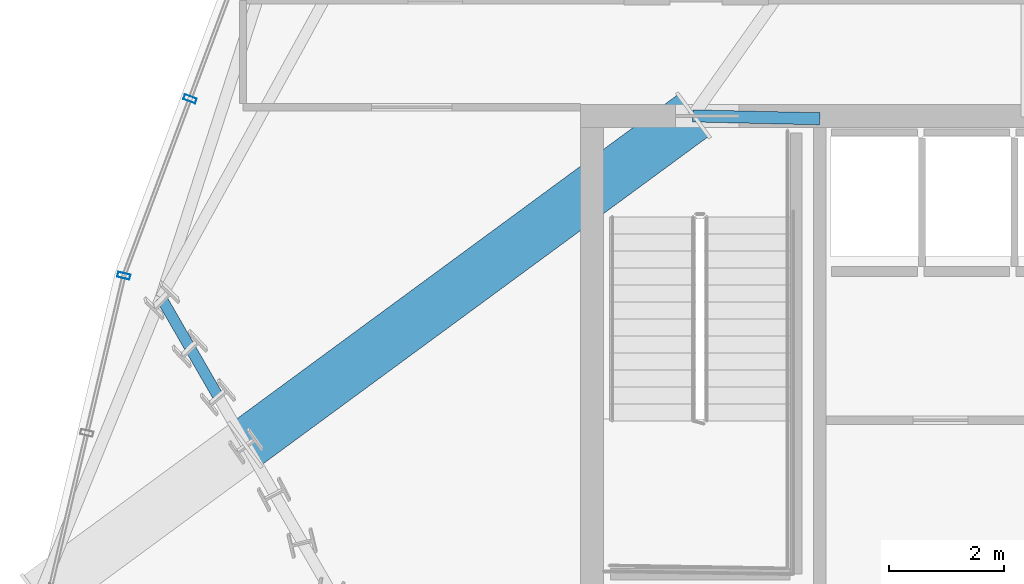
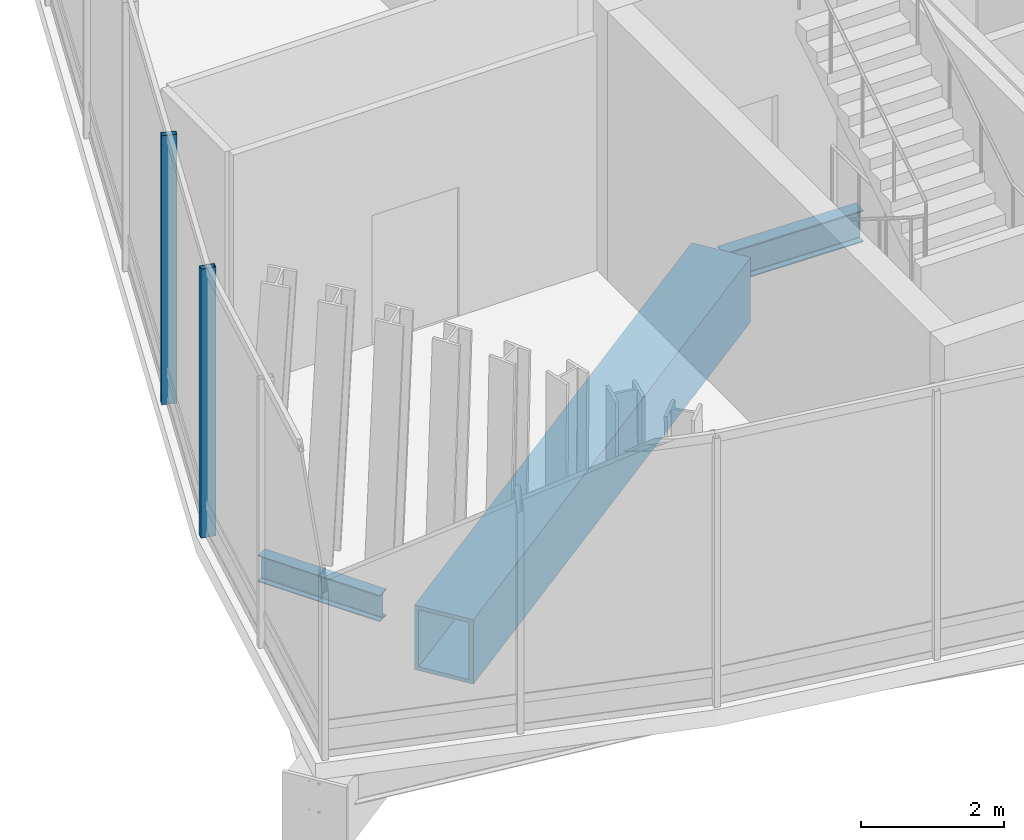
# One storey, part 4 of 28: 4 beams, 2 members, 2 elements without a shape of their own.
"""IFC4 building model written with IfcOpenShell, lengths in metres."""

from ifc_helpers import new_model, si_unit, direction, frame, origin, origin_2d, place, context, subcontext, project, spatial, hollow_rectangle, i_section, extrude, material, layer, layer_set, material_profile, profile_set, type_object, element, aggregate, save


model = new_model("IFC4")

# Units and contexts
model_context = context("Model", 3, precision=1e-05, world=origin(), true_north=direction((0.0, 1.0)))
body_context = subcontext(model_context, "Body", "Model", "MODEL_VIEW")
ifc_project = project(units=[si_unit("LENGTHUNIT", "METRE"), si_unit("AREAUNIT", "SQUARE_METRE"), si_unit("VOLUMEUNIT", "CUBIC_METRE"), si_unit("PLANEANGLEUNIT", "RADIAN"), si_unit("MASSUNIT", "GRAM", prefix="KILO")], contexts=[model_context])

# Site, building, storey
site_placement = place(None, origin())
site = spatial("IfcSite", under=ifc_project, at=site_placement, CompositionType="ELEMENT")
building_placement = place(site_placement, origin())
building = spatial("IfcBuilding", under=site, at=building_placement, Name="Ndaravel Arena Tower", CompositionType="ELEMENT")
storey_placement = place(building_placement, frame((0.0, 0.0, 213.199951171875)))
storey = spatial("IfcBuildingStorey", under=building, at=storey_placement, Name="L51", CompositionType="ELEMENT", Elevation=213.199951171875)

# Beams
ifc_material_1 = material(Name="Steel S355", Category="steel")
ifc_material_profile_1 = material_profile(ifc_material_1, i_section(OverallWidth=0.210693359375, OverallDepth=0.53955078125, WebThickness=0.01171875, FlangeThickness=0.018798828125, FilletRadius=0.0126953125, at=origin_2d()), Name="UB 533x210x109")
ifc_profile_set_1 = profile_set([ifc_material_profile_1], Name="Steel S355")
beam_type_1 = type_object("IfcBeamType", Name="BM-GIRD-UB533", PredefinedType="BEAM", material=ifc_profile_set_1)
beam_1_placement = place(storey_placement, frame((30.60009765625, 14.949951171875, -0.5498046875), z_axis=(-0.999742178526, 0.022706309173, 0.0), x_axis=(-0.022706309173, -0.999742178526, 0.0)))
element("IfcBeam", 1, at=beam_1_placement, inside=storey, type_object=beam_type_1, Name="L51 Star Backspan Anchor Tie SAT1-1", PredefinedType="BEAM", context=body_context, shape_type="SweptSolid", body=[
    extrude(i_section(OverallWidth=0.210693359375, OverallDepth=0.53955078125, WebThickness=0.01171875, FlangeThickness=0.018798828125, FilletRadius=0.0126953125, at=origin_2d()), origin(), (0.0, 0.0, 1.0), 2.2041015625),
])
ifc_material_2 = material(Name="Steel S355", Category="steel")
ifc_material_profile_2 = material_profile(ifc_material_2, i_section(OverallWidth=0.18994140625, OverallDepth=0.449951171875, WebThickness=0.009521484375, FlangeThickness=0.0146484375, FilletRadius=0.02099609375, at=origin_2d()), Name="IPE 450")
ifc_profile_set_2 = profile_set([ifc_material_profile_2], Name="Steel S355")
beam_type_2 = type_object("IfcBeamType", Name="BM-SPAN-IPE450", PredefinedType="SPANDREL", material=ifc_profile_set_2)
for number, where, z_axis, x_axis, name in (
    (2, (19.17138671875, 11.84814453125, -0.5048828125), (0.499995473844, -0.866028016946, 0.0), (0.866028016946, 0.499995473844, 0.0), "L51 Perimeter Spandrel Beam SP-20"),
    (3, (19.66162109375, 10.9990234375, -0.5048828125), (0.499995473844, -0.866028016946, 0.0), (0.866028016946, 0.499995473844, 0.0), "L51 Perimeter Spandrel Beam SP-21"),
):
    element("IfcBeam", number, at=place(storey_placement, frame(where, z_axis=z_axis, x_axis=x_axis)), inside=storey, type_object=beam_type_2, Name=name, PredefinedType="SPANDREL", context=body_context, shape_type="SweptSolid", body=[
        extrude(i_section(OverallWidth=0.18994140625, OverallDepth=0.449951171875, WebThickness=0.009521484375, FlangeThickness=0.0146484375, FilletRadius=0.02099609375, at=origin_2d()), origin(), (0.0, 0.0, 1.0), 0.98046875),
    ])
ifc_material_3 = material(Name="Steel S460", Category="steel")
ifc_material_profile_3 = material_profile(ifc_material_3, hollow_rectangle(XDim=0.89990234375, YDim=1.10009765625, WallThickness=0.06494140625, at=origin_2d()), Name="BOX 1100x900x65")
ifc_profile_set_3 = profile_set([ifc_material_profile_3], Name="Steel S460")
beam_type_3 = type_object("IfcBeamType", Name="BM-STAR-BOX1100", PredefinedType="BEAM", material=ifc_profile_set_3)
beam_2_placement = place(storey_placement, frame((28.396484375, 15.0, -0.829833984375), z_axis=(-0.80577705705, -0.59221899187, 0.0), x_axis=(0.59221899187, -0.80577705705, 0.0)))
element("IfcBeam", 4, at=beam_2_placement, inside=storey, type_object=beam_type_3, Name="L51 Star Cantilever Backspan Girder SBG-1", PredefinedType="BEAM", context=body_context, shape_type="SweptSolid", body=[
    extrude(hollow_rectangle(XDim=0.89990234375, YDim=1.10009765625, WallThickness=0.06494140625, at=origin_2d()), origin(), (0.0, 0.0, 1.0), 9.62353515625),
])

# Curtain wall, member
ifc_material_4 = material(Name="Aluminium", Category="aluminium")
ifc_layer = layer(ifc_material_4, 0.179931640625)
ifc_layer_set = layer_set([ifc_layer], Name="Aluminium")
curtain_wall_type = type_object("IfcCurtainWallType", Name="CW-SYS-04", PredefinedType="NOTDEFINED", material=ifc_layer_set)
curtain_wall_1_placement = place(storey_placement, origin())
curtain_wall_1 = element("IfcCurtainWall", 5, at=curtain_wall_1_placement, inside=storey, type_object=curtain_wall_type, Name="L51 Faceted Crystal Curtain Wall CW-L51-E11", PredefinedType="NOTDEFINED")
ifc_material_5 = material(Name="Aluminium", Category="aluminium")
ifc_material_profile_4 = material_profile(ifc_material_5, hollow_rectangle(XDim=0.090087890625, YDim=0.219970703125, WallThickness=0.0048828125, at=origin_2d()), Name="CW MULLION 90x220x5")
ifc_profile_set_4 = profile_set([ifc_material_profile_4], Name="Aluminium")
member_type = type_object("IfcMemberType", Name="MEM-CW-MUL220", PredefinedType="MULLION", material=ifc_profile_set_4)
member_1_placement = place(storey_placement, frame((19.67333984375, 15.29541015625, 0.0), z_axis=(0.0, 0.0, 1.0), x_axis=(-0.350272772461, -0.936647737878, 0.0)))
member_1 = element("IfcMember", 6, at=member_1_placement, type_object=member_type, Name="CW-L51-E11 Mullion 05", PredefinedType="MULLION", context=body_context, shape_type="SweptSolid", body=[
    extrude(hollow_rectangle(XDim=0.090087890625, YDim=0.219970703125, WallThickness=0.0048828125, at=origin_2d()), origin(), (0.0, 0.0, 1.0), 4.580078125),
])
aggregate(curtain_wall_1, [member_1])

curtain_wall_2_placement = place(storey_placement, origin())
curtain_wall_2 = element("IfcCurtainWall", 7, at=curtain_wall_2_placement, inside=storey, type_object=curtain_wall_type, Name="L51 Faceted Crystal Curtain Wall CW-L51-E12", PredefinedType="NOTDEFINED")
member_2_placement = place(storey_placement, frame((18.525390625, 12.22607421875, 0.0), z_axis=(0.0, 0.0, 1.0), x_axis=(-0.22921737956, -0.973375258011, 0.0)))
member_2 = element("IfcMember", 8, at=member_2_placement, type_object=member_type, Name="CW-L51-E12 Mullion 00", PredefinedType="MULLION", context=body_context, shape_type="SweptSolid", body=[
    extrude(hollow_rectangle(XDim=0.090087890625, YDim=0.219970703125, WallThickness=0.0048828125, at=origin_2d()), origin(), (0.0, 0.0, 1.0), 4.580078125),
])
aggregate(curtain_wall_2, [member_2])

save(model, "model.ifc")
